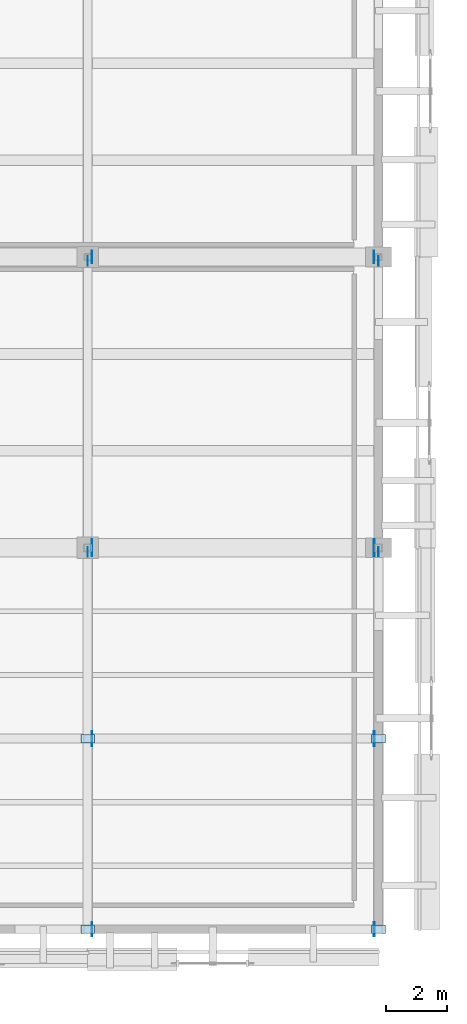
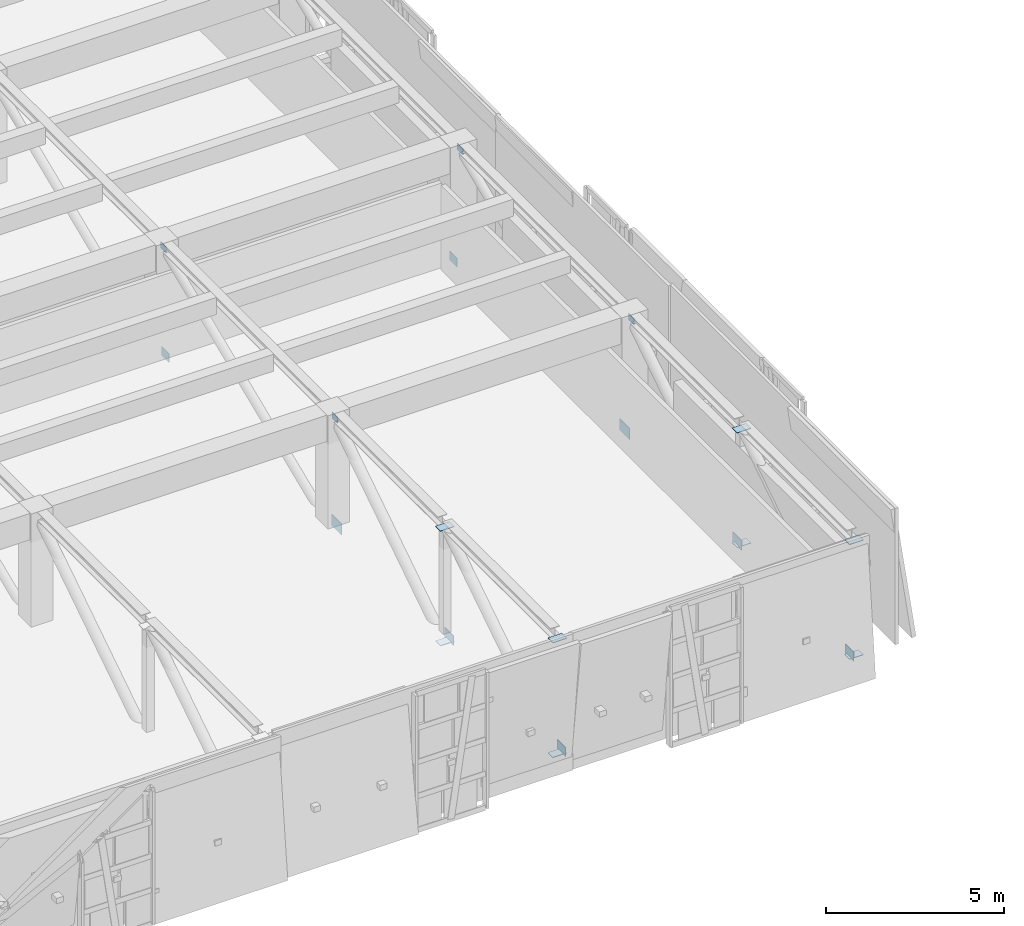
# One storey, part 39 of 62: 20 plates.
"""IFC4 building model written with IfcOpenShell, lengths in metres."""

import ifcopenshell
import ifcopenshell.guid

model = None  # the IFC model being written
_history = None  # IfcOwnerHistory: only IFC2X3 demands one
_inside = {}  # id of a spatial element -> (the spatial element, [elements in it])
_under = {}  # id of a project, library or spatial element -> (it, [spatial elements below it])
_declared = {}  # id of a project -> (the project, [libraries it declares])
_typed = {}  # id of a type object -> (the type object, [elements of that type])
_made_of = {}  # id of a material, layer set ... -> (it, [elements and type objects made of it])


def new_model(schema):
    """Start an empty IFC model of exactly this schema.

    Asked for "IFC4X3", IfcOpenShell would pick the latest addendum, in which some entities
    have other attributes; the version numbers below select the first issue.
    IFC2X3 requires an IfcOwnerHistory on every rooted entity: one is made here for all.
    """
    global model, _history
    if schema == "IFC4X3":
        model = ifcopenshell.file(schema_version=(4, 3, 0, 0))
    else:
        model = ifcopenshell.file(schema=schema)
    _inside.clear()
    _under.clear()
    _declared.clear()
    _typed.clear()
    _made_of.clear()
    _history = None
    if model.schema == "IFC2X3":
        org = make("IfcOrganization", Name="unknown")
        user = make(
            "IfcPersonAndOrganization",
            ThePerson=make("IfcPerson", FamilyName="unknown"),
            TheOrganization=org,
        )
        app = make(
            "IfcApplication",
            ApplicationDeveloper=org,
            Version="unknown",
            ApplicationFullName="unknown",
            ApplicationIdentifier="unknown",
        )
        _history = make(
            "IfcOwnerHistory",
            OwningUser=user,
            OwningApplication=app,
            ChangeAction="ADDED",
            CreationDate=0,
        )
    return model


def make(cls, **values):
    """One entity of the class cls with the attributes given. An attribute that is None is left unset."""
    return model.create_entity(
        cls, **{name: value for name, value in values.items() if value is not None}
    )


def rooted(cls, **values):
    """An entity with a GlobalId (a new one), such as an element, a storey or a relation."""
    return make(cls, GlobalId=ifcopenshell.guid.new(), OwnerHistory=_history, **values)


def si_unit(unit_type, name, prefix=None):
    """IfcSIUnit, for example si_unit("LENGTHUNIT", "METRE", prefix="MILLI")."""
    return make("IfcSIUnit", UnitType=unit_type, Prefix=prefix, Name=name)


def assignment(units):
    """IfcUnitAssignment: the units of a project."""
    return None if units is None else make("IfcUnitAssignment", Units=units)


def point(xyz):
    """IfcCartesianPoint."""
    return None if xyz is None else make("IfcCartesianPoint", Coordinates=xyz)


def direction(xyz):
    """IfcDirection."""
    return None if xyz is None else make("IfcDirection", DirectionRatios=xyz)


def frame(location, z_axis=None, x_axis=None):
    """IfcAxis2Placement3D, a coordinate frame: its origin and axes. An axis left out is left unset."""
    return make(
        "IfcAxis2Placement3D",
        Location=point(location),
        Axis=direction(z_axis),
        RefDirection=direction(x_axis),
    )


def frame_2d(location, x_axis=None):
    """IfcAxis2Placement2D, a coordinate frame in the plane: its origin and x axis."""
    return make(
        "IfcAxis2Placement2D", Location=point(location), RefDirection=direction(x_axis)
    )


def origin():
    """The frame at (0, 0, 0) with its axes left unset."""
    return frame((0.0, 0.0, 0.0))


def origin_2d():
    """The frame at (0, 0) in the plane with its x axis left unset."""
    return frame_2d((0.0, 0.0))


def place(relative_to, where):
    """IfcLocalPlacement: puts the frame where relative to a parent placement (None: the world)."""
    return make(
        "IfcLocalPlacement", PlacementRelTo=relative_to, RelativePlacement=where
    )


def context(
    kind, dimensions, precision=None, world=None, true_north=None, identifier=None
):
    """IfcGeometricRepresentationContext, for example the 3D "Model" context."""
    return make(
        "IfcGeometricRepresentationContext",
        ContextIdentifier=identifier,
        ContextType=kind,
        CoordinateSpaceDimension=dimensions,
        Precision=precision,
        WorldCoordinateSystem=world,
        TrueNorth=true_north,
    )


def subcontext(parent, identifier, kind, view, scale=None):
    """IfcGeometricRepresentationSubContext, for example "Body" below "Model"."""
    return make(
        "IfcGeometricRepresentationSubContext",
        ContextIdentifier=identifier,
        ContextType=kind,
        ParentContext=parent,
        TargetScale=scale,
        TargetView=view,
    )


def project(units=None, contexts=None):
    """IfcProject with its units and contexts."""
    return rooted(
        "IfcProject",
        Name="project",
        RepresentationContexts=contexts,
        UnitsInContext=assignment(units),
    )


def spatial(cls, under=None, at=None, **own):
    """A site, building, storey or space (cls), placed at a placement, below another one or the project."""
    s = rooted(cls, ObjectPlacement=at, **own)
    if under is not None:
        _under.setdefault(under.id(), (under, []))[1].append(s)
    return s


def profile(cls, at=None, kind="AREA", **sizes):
    """A parametric profile (cls). Its sizes go by their IFC names, for example OverallWidth=200.0."""
    return make(cls, ProfileType=kind, Position=at, **sizes)


def rectangle(**sizes):
    """IfcRectangleProfileDef."""
    return profile("IfcRectangleProfileDef", **sizes)


def extrude(swept, where, along, depth):
    """IfcExtrudedAreaSolid: the profile swept, set in the frame where, extruded along a direction by depth."""
    return make(
        "IfcExtrudedAreaSolid",
        SweptArea=swept,
        Position=where,
        ExtrudedDirection=direction(along),
        Depth=depth,
    )


def shape(context_of_items, identifier, shape_type, items):
    """IfcShapeRepresentation: the items that make up one representation, for example the "Body"."""
    return make(
        "IfcShapeRepresentation",
        ContextOfItems=context_of_items,
        RepresentationIdentifier=identifier,
        RepresentationType=shape_type,
        Items=items,
    )


def material(Name=None, Category=None):
    """IfcMaterial."""
    return make("IfcMaterial", Name=Name, Category=Category)


def layer(
    of_material, thickness, ventilated=None, Name=None, Category=None, Priority=None
):
    """IfcMaterialLayer: one layer of a wall or slab, of a material (None: an air gap)."""
    return make(
        "IfcMaterialLayer",
        Material=of_material,
        LayerThickness=thickness,
        IsVentilated=ventilated,
        Name=Name,
        Category=Category,
        Priority=Priority,
    )


def layer_set(layers, Name=None):
    """IfcMaterialLayerSet."""
    return make("IfcMaterialLayerSet", MaterialLayers=layers, LayerSetName=Name)


def made_of(thing, what):
    """Note that an element or type object is made of a material, layer set ...; save() writes the relation."""
    if what is not None:
        _made_of.setdefault(what.id(), (what, []))[1].append(thing)
    return thing


def type_object(cls, material=None, **own):
    """A type object (cls), such as IfcWallType, which elements share."""
    return made_of(rooted(cls, **own), material)


def element(
    cls,
    number,
    at=None,
    inside=None,
    cuts=None,
    type_object=None,
    material=None,
    context=None,
    identifier="Body",
    shape_type=None,
    held_by="IfcProductDefinitionShape",
    body=None,
    shapes=None,
    **own,
):
    """One element of the class cls, such as IfcWall. Its Tag is "e" and its number.

    at: its placement. inside: the storey or other place that contains it. cuts: it is an
    opening in that element (IfcRelVoidsElement). A single representation is given by context,
    identifier, shape_type and body (its items); several are given by shapes. held_by: the class
    of the entity that holds the representations. save() writes the other relations.
    """
    e = rooted(cls, Tag="e%d" % number, ObjectPlacement=at, **own)
    if body is not None:
        shapes = [shape(context, identifier, shape_type, body)]
    if shapes is not None:
        e.Representation = make(held_by, Representations=shapes)
    if inside is not None:
        _inside.setdefault(inside.id(), (inside, []))[1].append(e)
    if cuts is not None:
        rooted(
            "IfcRelVoidsElement", RelatingBuildingElement=cuts, RelatedOpeningElement=e
        )
    if type_object is not None:
        _typed.setdefault(type_object.id(), (type_object, []))[1].append(e)
    return made_of(e, material)


def aggregate(whole, parts):
    """IfcRelAggregates: a whole, such as a stair, and the parts it consists of."""
    return rooted("IfcRelAggregates", RelatingObject=whole, RelatedObjects=parts)


def save(model, path):
    """Write the relations noted so far, then the file.

    IfcRelAggregates (storeys below a building ...), IfcRelContainedInSpatialStructure (elements
    in a storey), IfcRelDefinesByType, IfcRelAssociatesMaterial and IfcRelDeclares: one each for
    every whole, place, type object, material and project.
    """
    for whole, parts in _under.values():
        aggregate(whole, parts)
    for where, things in _inside.values():
        rooted(
            "IfcRelContainedInSpatialStructure",
            RelatedElements=things,
            RelatingStructure=where,
        )
    for kind, things in _typed.values():
        rooted("IfcRelDefinesByType", RelatedObjects=things, RelatingType=kind)
    for what, things in _made_of.values():
        rooted("IfcRelAssociatesMaterial", RelatedObjects=things, RelatingMaterial=what)
    for by, libraries in _declared.values():
        rooted("IfcRelDeclares", RelatingContext=by, RelatedDefinitions=libraries)
    model.write(path)


model = new_model("IFC4")

# Units and contexts
model_context = context("Model", 3, precision=1e-05, world=origin(), true_north=direction((0.0, 1.0)))
body_context = subcontext(model_context, "Body", "Model", "MODEL_VIEW")
ifc_project = project(units=[si_unit("LENGTHUNIT", "METRE"), si_unit("AREAUNIT", "SQUARE_METRE"), si_unit("VOLUMEUNIT", "CUBIC_METRE"), si_unit("PLANEANGLEUNIT", "RADIAN"), si_unit("MASSUNIT", "GRAM", prefix="KILO")], contexts=[model_context])

# Site, building, storey
site_placement = place(None, origin())
site = spatial("IfcSite", under=ifc_project, at=site_placement, CompositionType="ELEMENT")
building_placement = place(site_placement, origin())
building = spatial("IfcBuilding", under=site, at=building_placement, Name="Bempovik Park Faculty of Sciences", CompositionType="ELEMENT")
storey_placement = place(building_placement, frame((0.0, 0.0, 9.89990234375)))
storey = spatial("IfcBuildingStorey", under=building, at=storey_placement, Name="L02", CompositionType="ELEMENT", Elevation=9.89990234375)

# Plates
ifc_material = material(Name="Steel S355", Category="steel")
ifc_layer_1 = layer(ifc_material, 0.01806640625)
ifc_layer_set_1 = layer_set([ifc_layer_1], Name="Steel S355")
plate_type_1 = type_object("IfcPlateType", Name="PL-22 Steel Plate 420x300x18", PredefinedType="SHEET", material=ifc_layer_set_1)
for number, where, z_axis, x_axis, name in (
    (1, (108.139892578125, 29.39990234375, -0.35009765625), (0.0, 0.0, 1.0), (1.0, 0.0, 0.0), "Cantilever Gusset Plate CT6-4-B"),
    (2, (117.4599609375, 29.39990234375, -0.35009765625), (0.0, 0.0, 1.0), (1.0, 0.0, 0.0), "Cantilever Gusset Plate CT7-4-B"),
):
    element("IfcPlate", number, at=place(storey_placement, frame(where, z_axis=z_axis, x_axis=x_axis)), inside=storey, type_object=plate_type_1, Name=name, PredefinedType="SHEET", context=body_context, shape_type="SweptSolid", body=[
        extrude(rectangle(XDim=0.01806640625, YDim=0.419921875, at=origin_2d()), origin(), (0.0, 0.0, 1.0), 0.300048828125),
    ])
ifc_layer_2 = layer(ifc_material, 0.02392578125)
ifc_layer_set_2 = layer_set([ifc_layer_2], Name="Steel S355")
plate_type_2 = type_object("IfcPlateType", Name="PL-25 Steel Plate 560x380x24", PredefinedType="SHEET", material=ifc_layer_set_2)
for number, where, z_axis, x_axis, name in (
    (3, (108.139892578125, 19.800048828125, -0.389892578125), (0.0, 0.0, 1.0), (1.0, 0.0, 0.0), "Cantilever Gusset Plate CT6-3-B"),
    (4, (117.4599609375, 19.800048828125, -0.389892578125), (0.0, 0.0, 1.0), (1.0, 0.0, 0.0), "Cantilever Gusset Plate CT7-3-B"),
):
    element("IfcPlate", number, at=place(storey_placement, frame(where, z_axis=z_axis, x_axis=x_axis)), inside=storey, type_object=plate_type_2, Name=name, PredefinedType="SHEET", context=body_context, shape_type="SweptSolid", body=[
        extrude(rectangle(XDim=0.02392578125, YDim=0.56005859375, at=origin_2d()), origin(), (0.0, 0.0, 1.0), 0.3798828125),
    ])
ifc_layer_3 = layer(ifc_material, 0.011962890625)
ifc_layer_set_3 = layer_set([ifc_layer_3], Name="Steel S355")
plate_type_3 = type_object("IfcPlateType", Name="PL-26 Steel Plate 320x220x12", PredefinedType="SHEET", material=ifc_layer_set_3)
for number, where, z_axis, x_axis, name in (
    (5, (108.0, 19.6650390625, 3.48388671875), (0.0, 0.0, 1.0), (1.0, 0.0, 0.0), "Brace/Strut End Gusset Plate CT6-BRL2-2-E2"),
    (6, (108.0, 29.264892578125, 3.48388671875), (0.0, 0.0, 1.0), (1.0, 0.0, 0.0), "Brace/Strut End Gusset Plate CT6-BRL2-3-E2"),
    (7, (117.60009765625, 19.6650390625, 3.48388671875), (0.0, 0.0, 1.0), (1.0, 0.0, 0.0), "Brace/Strut End Gusset Plate CT7-BRL2-2-E2"),
    (8, (117.60009765625, 29.264892578125, 3.48388671875), (0.0, 0.0, 1.0), (1.0, 0.0, 0.0), "Brace/Strut End Gusset Plate CT7-BRL2-3-E2"),
):
    element("IfcPlate", number, at=place(storey_placement, frame(where, z_axis=z_axis, x_axis=x_axis)), inside=storey, type_object=plate_type_3, Name=name, PredefinedType="SHEET", context=body_context, shape_type="SweptSolid", body=[
        extrude(rectangle(XDim=0.011962890625, YDim=0.320068359375, at=origin_2d()), origin(), (0.0, 0.0, 1.0), 0.219970703125),
    ])
ifc_layer_4 = layer(ifc_material, 0.02001953125)
ifc_layer_set_4 = layer_set([ifc_layer_4], Name="Steel S355")
plate_type_4 = type_object("IfcPlateType", Name="PL-30 Steel Plate 460x320x20", PredefinedType="SHEET", material=ifc_layer_set_4)
for number, where, z_axis, x_axis, name in (
    (9, (108.139892578125, 7.199951171875, -0.35986328125), (0.0, 0.0, 1.0), (1.0, 0.0, 0.0), "Cantilever Gusset Plate CT6-1-B"),
    (10, (117.4599609375, 7.199951171875, -0.35986328125), (0.0, 0.0, 1.0), (1.0, 0.0, 0.0), "Cantilever Gusset Plate CT7-1-B"),
):
    element("IfcPlate", number, at=place(storey_placement, frame(where, z_axis=z_axis, x_axis=x_axis)), inside=storey, type_object=plate_type_4, Name=name, PredefinedType="SHEET", context=body_context, shape_type="SweptSolid", body=[
        extrude(rectangle(XDim=0.02001953125, YDim=0.4599609375, at=origin_2d()), origin(), (0.0, 0.0, 1.0), 0.320068359375),
    ])
ifc_layer_5 = layer(ifc_material, 0.02001953125)
ifc_layer_set_5 = layer_set([ifc_layer_5], Name="Steel S355")
plate_type_5 = type_object("IfcPlateType", Name="PL-36 Steel Plate 450x280x20", PredefinedType="USERDEFINED", material=ifc_layer_set_5)
for number, where, z_axis, x_axis, name in (
    (11, (108.0, 7.199951171875, 3.592041015625), (0.0, 0.0, 1.0), (1.0, 0.0, 0.0), "Cantilever Post End Cap Plate CT6-1-M"),
    (12, (108.0, 7.199951171875, -0.33203125), (0.0, 0.0, 1.0), (1.0, 0.0, 0.0), "Cantilever Post End Cap Plate CT6-1-B"),
    (13, (108.0, 13.5, 3.592041015625), (0.0, 0.0, 1.0), (1.0, 0.0, 0.0), "Cantilever Post End Cap Plate CT6-2-M"),
    (14, (108.0, 13.5, -0.33203125), (0.0, 0.0, 1.0), (1.0, 0.0, 0.0), "Cantilever Post End Cap Plate CT6-2-B"),
    (15, (117.60009765625, 7.199951171875, 3.592041015625), (0.0, 0.0, 1.0), (1.0, 0.0, 0.0), "Cantilever Post End Cap Plate CT7-1-M"),
    (16, (117.60009765625, 7.199951171875, -0.33203125), (0.0, 0.0, 1.0), (1.0, 0.0, 0.0), "Cantilever Post End Cap Plate CT7-1-B"),
    (17, (117.60009765625, 13.5, 3.592041015625), (0.0, 0.0, 1.0), (1.0, 0.0, 0.0), "Cantilever Post End Cap Plate CT7-2-M"),
    (18, (117.60009765625, 13.5, -0.33203125), (0.0, 0.0, 1.0), (1.0, 0.0, 0.0), "Cantilever Post End Cap Plate CT7-2-B"),
):
    element("IfcPlate", number, at=place(storey_placement, frame(where, z_axis=z_axis, x_axis=x_axis)), inside=storey, type_object=plate_type_5, Name=name, ObjectType="STIFFENER PLATE", PredefinedType="USERDEFINED", context=body_context, shape_type="SweptSolid", body=[
        extrude(rectangle(XDim=0.449951171875, YDim=0.280029296875, at=origin_2d()), origin(), (0.0, 0.0, 1.0), 0.02001953125),
    ])
ifc_layer_6 = layer(ifc_material, 0.02197265625)
ifc_layer_set_6 = layer_set([ifc_layer_6], Name="Steel S355")
plate_type_6 = type_object("IfcPlateType", Name="PL-46 Steel Plate 500x340x22", PredefinedType="SHEET", material=ifc_layer_set_6)
for number, where, z_axis, x_axis, name in (
    (19, (108.139892578125, 13.5, -0.3701171875), (0.0, 0.0, 1.0), (1.0, 0.0, 0.0), "Cantilever Gusset Plate CT6-2-B"),
    (20, (117.4599609375, 13.5, -0.3701171875), (0.0, 0.0, 1.0), (1.0, 0.0, 0.0), "Cantilever Gusset Plate CT7-2-B"),
):
    element("IfcPlate", number, at=place(storey_placement, frame(where, z_axis=z_axis, x_axis=x_axis)), inside=storey, type_object=plate_type_6, Name=name, PredefinedType="SHEET", context=body_context, shape_type="SweptSolid", body=[
        extrude(rectangle(XDim=0.02197265625, YDim=0.5, at=origin_2d()), origin(), (0.0, 0.0, 1.0), 0.340087890625),
    ])

save(model, "model.ifc")
